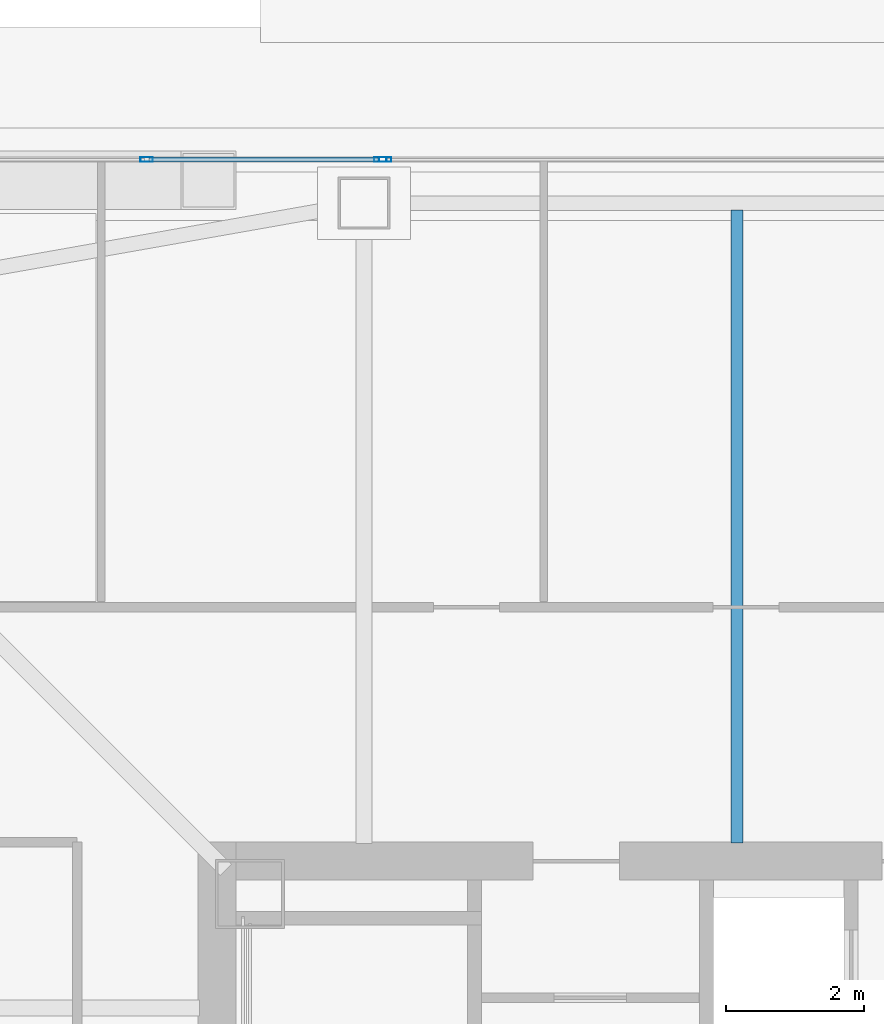
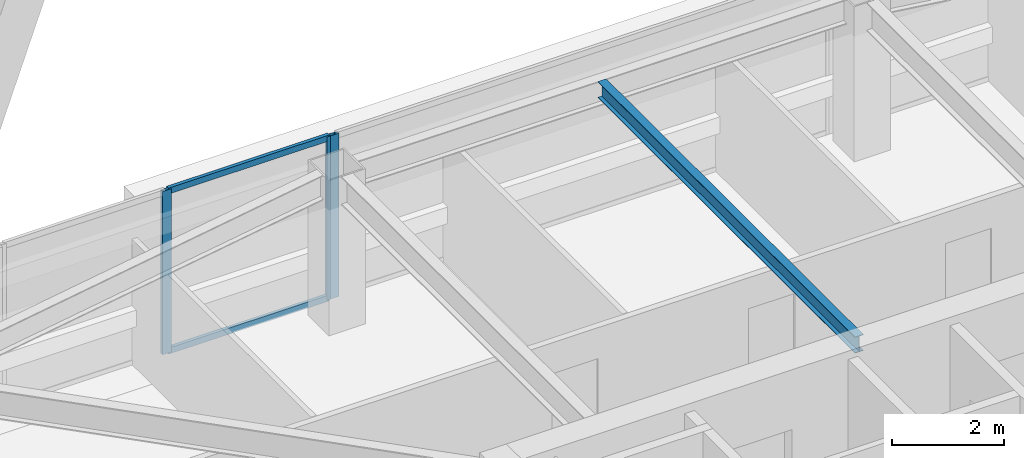
# One storey, part 20 of 65: 5 members, 1 beam, 2 elements without a shape of their own.
"""IFC4 building model written with IfcOpenShell, lengths in metres."""

from ifc_helpers import new_model, si_unit, direction, frame, origin, origin_2d, place, context, subcontext, project, spatial, hollow_rectangle, i_section, extrude, material, material_profile, profile_set, type_object, element, aggregate, save


model = new_model("IFC4")

# Units and contexts
model_context = context("Model", 3, precision=1e-05, world=origin(), true_north=direction((0.0, 1.0)))
body_context = subcontext(model_context, "Body", "Model", "MODEL_VIEW")
ifc_project = project(units=[si_unit("LENGTHUNIT", "METRE"), si_unit("AREAUNIT", "SQUARE_METRE"), si_unit("VOLUMEUNIT", "CUBIC_METRE"), si_unit("PLANEANGLEUNIT", "RADIAN"), si_unit("MASSUNIT", "GRAM", prefix="KILO")], contexts=[model_context])

# Site, building, storey
site_placement = place(None, origin())
site = spatial("IfcSite", under=ifc_project, at=site_placement, CompositionType="ELEMENT")
building_placement = place(site_placement, origin())
building = spatial("IfcBuilding", under=site, at=building_placement, Name="Tashvorn Skyway Center", CompositionType="ELEMENT")
storey_placement = place(building_placement, frame((0.0, 0.0, 157.0)))
storey = spatial("IfcBuildingStorey", under=building, at=storey_placement, Name="L42", CompositionType="ELEMENT", Elevation=157.0)

# Beam
ifc_material_1 = material(Name="Steel ASTM A992 Grade 50", Category="steel")
ifc_material_profile_1 = material_profile(ifc_material_1, i_section(OverallWidth=0.1708984375, OverallDepth=0.35498046875, WebThickness=0.007080078125, FlangeThickness=0.01171875, at=origin_2d()), Name="W14X34")
ifc_profile_set_1 = profile_set([ifc_material_profile_1], Name="Steel ASTM A992 Grade 50")
beam_type = type_object("IfcBeamType", Name="BM-JOIST-W14X34", PredefinedType="JOIST", material=ifc_profile_set_1)
beam_placement = place(storey_placement, frame((42.0, 39.7900390625, 3.1923828125), z_axis=(0.0, 1.0, 0.0), x_axis=(-1.0, 0.0, 0.0)))
element("IfcBeam", 1, at=beam_placement, inside=storey, type_object=beam_type, Name="Tower 1 L42 Secondary Composite Joist JN", PredefinedType="JOIST", context=body_context, shape_type="SweptSolid", body=[
    extrude(i_section(OverallWidth=0.1708984375, OverallDepth=0.35498046875, WebThickness=0.007080078125, FlangeThickness=0.01171875, at=origin_2d()), origin(), (0.0, 0.0, 1.0), 9.162353515625),
])

# Curtain wall, members
ifc_material_2 = material(Name="Thermally broken bronze-anodized aluminium 6063-T6", Category="aluminium")
curtain_wall_type = type_object("IfcCurtainWallType", Name="CW-CW-Z4", PredefinedType="NOTDEFINED", material=ifc_material_2)
curtain_wall_1_placement = place(storey_placement, origin())
curtain_wall_1 = element("IfcCurtainWall", 2, at=curtain_wall_1_placement, inside=storey, type_object=curtain_wall_type, Name="Tower 1 L42 North Unitised Curtain Wall Glazing Group 1", PredefinedType="NOTDEFINED")
ifc_material_profile_2 = material_profile(ifc_material_2, hollow_rectangle(XDim=0.070068359375, YDim=0.179931640625, WallThickness=0.00390625, at=origin_2d()), Name="ALU-MULL-70x180")
ifc_profile_set_2 = profile_set([ifc_material_profile_2], Name="Thermally broken bronze-anodized aluminium 6063-T6")
member_type_1 = type_object("IfcMemberType", Name="CWM-CW-Z4", PredefinedType="MULLION", material=ifc_profile_set_2)
member_1_placement = place(storey_placement, frame((33.45556640625, 49.679931640625, 0.0), z_axis=(0.0, 0.0, 1.0), x_axis=(0.0, 1.0, 0.0)))
member_1 = element("IfcMember", 3, at=member_1_placement, type_object=member_type_1, Name="CW-Z4 mullion 2", PredefinedType="MULLION", context=body_context, shape_type="SweptSolid", body=[
    extrude(hollow_rectangle(XDim=0.070068359375, YDim=0.179931640625, WallThickness=0.00390625, at=origin_2d()), origin(), (0.0, 0.0, 1.0), 3.550048828125),
])
member_2_placement = place(storey_placement, frame((36.83837890625, 49.679931640625, 0.0), z_axis=(0.0, 0.0, 1.0), x_axis=(0.0, 1.0, 0.0)))
member_2 = element("IfcMember", 4, at=member_2_placement, type_object=member_type_1, Name="CW-Z4 mullion 3", PredefinedType="MULLION", context=body_context, shape_type="SweptSolid", body=[
    extrude(hollow_rectangle(XDim=0.070068359375, YDim=0.179931640625, WallThickness=0.00390625, at=origin_2d()), origin(), (0.0, 0.0, 1.0), 3.550048828125),
])

# Curtain wall, member
curtain_wall_2_placement = place(storey_placement, origin())
curtain_wall_2 = element("IfcCurtainWall", 5, at=curtain_wall_2_placement, inside=storey, type_object=curtain_wall_type, Name="Tower 1 L42 North Unitised Curtain Wall Glazing Group 2", PredefinedType="NOTDEFINED")
member_3_placement = place(storey_placement, frame((36.908203125, 49.679931640625, 0.0), z_axis=(0.0, 0.0, 1.0), x_axis=(0.0, 1.0, 0.0)))
member_3 = element("IfcMember", 6, at=member_3_placement, type_object=member_type_1, Name="CW-Z4 mullion 1", PredefinedType="MULLION", context=body_context, shape_type="SweptSolid", body=[
    extrude(hollow_rectangle(XDim=0.070068359375, YDim=0.179931640625, WallThickness=0.00390625, at=origin_2d()), origin(), (0.0, 0.0, 1.0), 3.550048828125),
])
aggregate(curtain_wall_2, [member_3])

# Member
ifc_material_profile_3 = material_profile(ifc_material_2, hollow_rectangle(XDim=0.070068359375, YDim=0.1298828125, WallThickness=0.00390625, at=origin_2d()), Name="ALU-TRAN-70x130")
ifc_profile_set_3 = profile_set([ifc_material_profile_3], Name="Thermally broken bronze-anodized aluminium 6063-T6")
member_type_2 = type_object("IfcMemberType", Name="CWT-CW-Z4", PredefinedType="USERDEFINED", material=ifc_profile_set_3)
member_4_placement = place(storey_placement, frame((33.490478515625, 49.679931640625, 0.034912109375), z_axis=(1.0, 0.0, 0.0), x_axis=(0.0, 1.0, 0.0)))
member_4 = element("IfcMember", 7, at=member_4_placement, type_object=member_type_2, Name="CW-Z4 transom 2.1", ObjectType="TRANSOM", PredefinedType="USERDEFINED", context=body_context, shape_type="SweptSolid", body=[
    extrude(hollow_rectangle(XDim=0.070068359375, YDim=0.1298828125, WallThickness=0.00390625, at=origin_2d()), origin(), (0.0, 0.0, 1.0), 3.312744140625),
])

member_5_placement = place(storey_placement, frame((33.490478515625, 49.679931640625, 3.514892578125), z_axis=(1.0, 0.0, 0.0), x_axis=(0.0, 1.0, 0.0)))
member_5 = element("IfcMember", 8, at=member_5_placement, type_object=member_type_2, Name="CW-Z4 transom 2.2", ObjectType="TRANSOM", PredefinedType="USERDEFINED", context=body_context, shape_type="SweptSolid", body=[
    extrude(hollow_rectangle(XDim=0.070068359375, YDim=0.1298828125, WallThickness=0.00390625, at=origin_2d()), origin(), (0.0, 0.0, 1.0), 3.312744140625),
])

aggregate(curtain_wall_1, [member_1, member_2, member_4, member_5])

save(model, "model.ifc")
